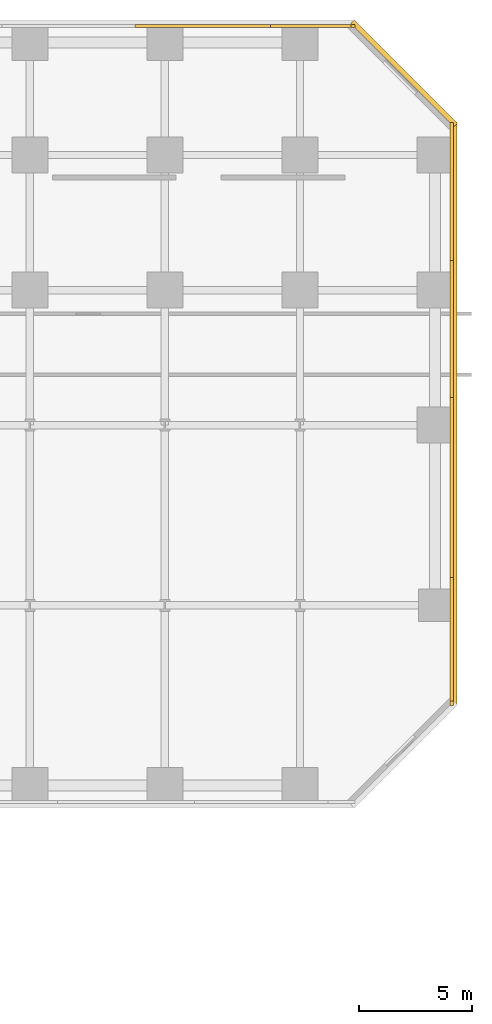
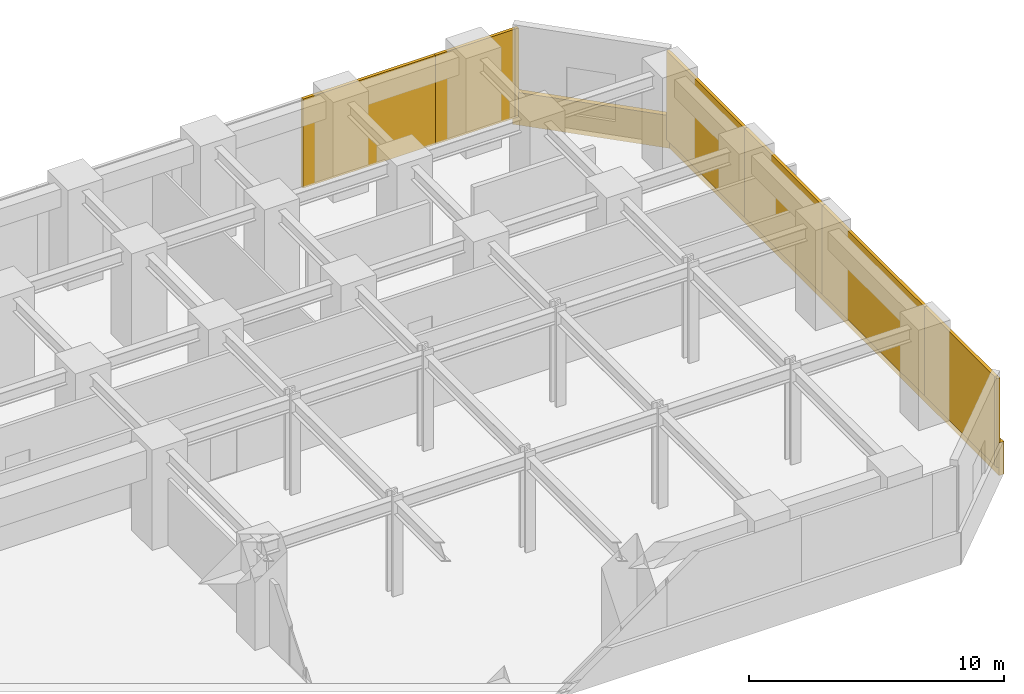
# One storey, part 12 of 12: 10 coverings.
"""IFC4 building model written with IfcOpenShell, lengths in metres."""

from ifc_helpers import new_model, si_unit, direction, frame, origin, origin_2d, place, context, subcontext, project, spatial, rectangle, extrude, source, transform, mapped, material, layer, layer_set, type_object, element, save


model = new_model("IFC4")

# Units and contexts
model_context = context("Model", 3, precision=1e-05, world=origin(), true_north=direction((0.0, 1.0)))
body_context = subcontext(model_context, "Body", "Model", "MODEL_VIEW")
ifc_project = project(units=[si_unit("LENGTHUNIT", "METRE"), si_unit("AREAUNIT", "SQUARE_METRE"), si_unit("VOLUMEUNIT", "CUBIC_METRE"), si_unit("PLANEANGLEUNIT", "RADIAN"), si_unit("MASSUNIT", "GRAM", prefix="KILO")], contexts=[model_context])

# Site, building, storey
site_placement = place(None, origin())
site = spatial("IfcSite", under=ifc_project, at=site_placement, CompositionType="ELEMENT")
building_placement = place(site_placement, origin())
building = spatial("IfcBuilding", under=site, at=building_placement, Name="Torre Montelarca", CompositionType="ELEMENT")
storey_placement = place(building_placement, frame((0.0, 0.0, 17.39990234375)))
storey = spatial("IfcBuildingStorey", under=building, at=storey_placement, Name="L04", CompositionType="ELEMENT", Elevation=17.39990234375)

# Coverings
ifc_material = material(Name="Bush-hammered warm white precast concrete C45/55", Category="concrete")
ifc_layer = layer(ifc_material, 0.139892578125, Name="Bush-hammered warm white precast concrete C45/55", Category="concrete")
ifc_layer_set = layer_set([ifc_layer], Name="Bush-hammered warm white precast concrete C45/55")
covering_type = type_object("IfcCoveringType", Name="COV-TRAY-CLAD", PredefinedType="CLADDING", material=ifc_layer_set)
shared_shape_1 = source(origin(), body_context, "Body", "SweptSolid", [
    extrude(rectangle(XDim=6.48388671875, YDim=0.219970703125, at=origin_2d()), origin(), (0.0, 0.0, 1.0), 1.56005859375),
])
covering_1_placement = place(storey_placement, frame((76.62890625, 55.62890625, -0.39990234375), z_axis=(0.0, 0.0, 1.0), x_axis=(-0.707106781187, 0.707106781187, 0.0)))
element("IfcCovering", 1, at=covering_1_placement, inside=storey, type_object=covering_type, Name="L04 Architectural White Spandrel Tray Band PODBOT-07", PredefinedType="CLADDING", context=body_context, shape_type="MappedRepresentation", body=[
    mapped(shared_shape_1, transform((0.0, 0.0, 0.0), scale=1.0)),
])
shared_shape_2 = source(origin(), body_context, "Body", "SweptSolid", [
    extrude(rectangle(XDim=25.919921875, YDim=0.219970703125, at=origin_2d()), origin(), (0.0, 0.0, 1.0), 1.56005859375),
])
covering_2_placement = place(storey_placement, frame((78.8701171875, 40.5, -0.39990234375), z_axis=(0.0, 0.0, 1.0), x_axis=(0.0, 1.0, 0.0)))
element("IfcCovering", 2, at=covering_2_placement, inside=storey, type_object=covering_type, Name="L04 Architectural White Spandrel Tray Band PODBOT-06", PredefinedType="CLADDING", context=body_context, shape_type="MappedRepresentation", body=[
    mapped(shared_shape_2, transform((0.0, 0.0, 0.0), scale=1.0)),
])
shared_shape_3 = source(origin(), body_context, "Body", "SweptSolid", [
    extrude(rectangle(XDim=0.179931640625, YDim=0.139892578125, at=origin_2d()), origin(), (0.0, 0.0, 1.0), 4.25),
])
for number, where, z_axis, x_axis, name in (
    (3, (78.739990234375, 27.64990234375, 0.0), (0.0, 0.0, 1.0), (0.0, 1.0, 0.0), "L04 Architectural Column Pier Cladding E06-1"),
    (4, (74.35009765625, 57.739990234375, 0.0), (0.0, 0.0, 1.0), (-1.0, 0.0, 0.0), "L04 Architectural Column Pier Cladding E08-1"),
):
    element("IfcCovering", number, at=place(storey_placement, frame(where, z_axis=z_axis, x_axis=x_axis)), inside=storey, type_object=covering_type, Name=name, PredefinedType="CLADDING", context=body_context, shape_type="MappedRepresentation", body=[
        mapped(shared_shape_3, transform((0.0, 0.0, 0.0), scale=1.0)),
    ])
shared_shape_4 = source(origin(), body_context, "Body", "SweptSolid", [
    extrude(rectangle(XDim=6.080078125, YDim=0.139892578125, at=origin_2d()), origin(), (0.0, 0.0, 1.0), 4.25),
])
for number, where, z_axis, x_axis, name in (
    (5, (78.739990234375, 44.280029296875, 0.0), (0.0, 0.0, 1.0), (0.0, 1.0, 0.0), "L04 Architectural Column Pier Cladding E06-4"),
    (6, (67.719970703125, 57.739990234375, 0.0), (0.0, 0.0, 1.0), (-1.0, 0.0, 0.0), "L04 Architectural Column Pier Cladding E08-3"),
):
    element("IfcCovering", number, at=place(storey_placement, frame(where, z_axis=z_axis, x_axis=x_axis)), inside=storey, type_object=covering_type, Name=name, PredefinedType="CLADDING", context=body_context, shape_type="MappedRepresentation", body=[
        mapped(shared_shape_4, transform((0.0, 0.0, 0.0), scale=1.0)),
    ])
shared_shape_5 = source(origin(), body_context, "Body", "SweptSolid", [
    extrude(rectangle(XDim=5.5849609375, YDim=0.139892578125, at=origin_2d()), origin(), (0.0, 0.0, 1.0), 4.25),
])
covering_3_placement = place(storey_placement, frame((78.739990234375, 30.452392578125, 0.0), z_axis=(0.0, 0.0, 1.0), x_axis=(0.0, 1.0, 0.0)))
element("IfcCovering", 7, at=covering_3_placement, inside=storey, type_object=covering_type, Name="L04 Architectural Column Pier Cladding E06-2", PredefinedType="CLADDING", context=body_context, shape_type="MappedRepresentation", body=[
    mapped(shared_shape_5, transform((0.0, 0.0, 0.0), scale=1.0)),
])
shared_shape_6 = source(origin(), body_context, "Body", "SweptSolid", [
    extrude(rectangle(XDim=8.155029296875, YDim=0.139892578125, at=origin_2d()), origin(), (0.0, 0.0, 1.0), 4.25),
])
covering_4_placement = place(storey_placement, frame((78.739990234375, 37.242431640625, 0.0), z_axis=(0.0, 0.0, 1.0), x_axis=(0.0, 1.0, 0.0)))
element("IfcCovering", 8, at=covering_4_placement, inside=storey, type_object=covering_type, Name="L04 Architectural Column Pier Cladding E06-3", PredefinedType="CLADDING", context=body_context, shape_type="MappedRepresentation", body=[
    mapped(shared_shape_6, transform((0.0, 0.0, 0.0), scale=1.0)),
])
shared_shape_7 = source(origin(), body_context, "Body", "SweptSolid", [
    extrude(rectangle(XDim=6.199951171875, YDim=0.139892578125, at=origin_2d()), origin(), (0.0, 0.0, 1.0), 4.25),
])
covering_5_placement = place(storey_placement, frame((78.739990234375, 50.340087890625, 0.0), z_axis=(0.0, 0.0, 1.0), x_axis=(0.0, 1.0, 0.0)))
element("IfcCovering", 9, at=covering_5_placement, inside=storey, type_object=covering_type, Name="L04 Architectural Column Pier Cladding E06-5", PredefinedType="CLADDING", context=body_context, shape_type="MappedRepresentation", body=[
    mapped(shared_shape_7, transform((0.0, 0.0, 0.0), scale=1.0)),
])
shared_shape_8 = source(origin(), body_context, "Body", "SweptSolid", [
    extrude(rectangle(XDim=3.659912109375, YDim=0.139892578125, at=origin_2d()), origin(), (0.0, 0.0, 1.0), 4.25),
])
covering_6_placement = place(storey_placement, frame((72.510009765625, 57.739990234375, 0.0), z_axis=(0.0, 0.0, 1.0), x_axis=(-1.0, 0.0, 0.0)))
element("IfcCovering", 10, at=covering_6_placement, inside=storey, type_object=covering_type, Name="L04 Architectural Column Pier Cladding E08-2", PredefinedType="CLADDING", context=body_context, shape_type="MappedRepresentation", body=[
    mapped(shared_shape_8, transform((0.0, 0.0, 0.0), scale=1.0)),
])

save(model, "model.ifc")
